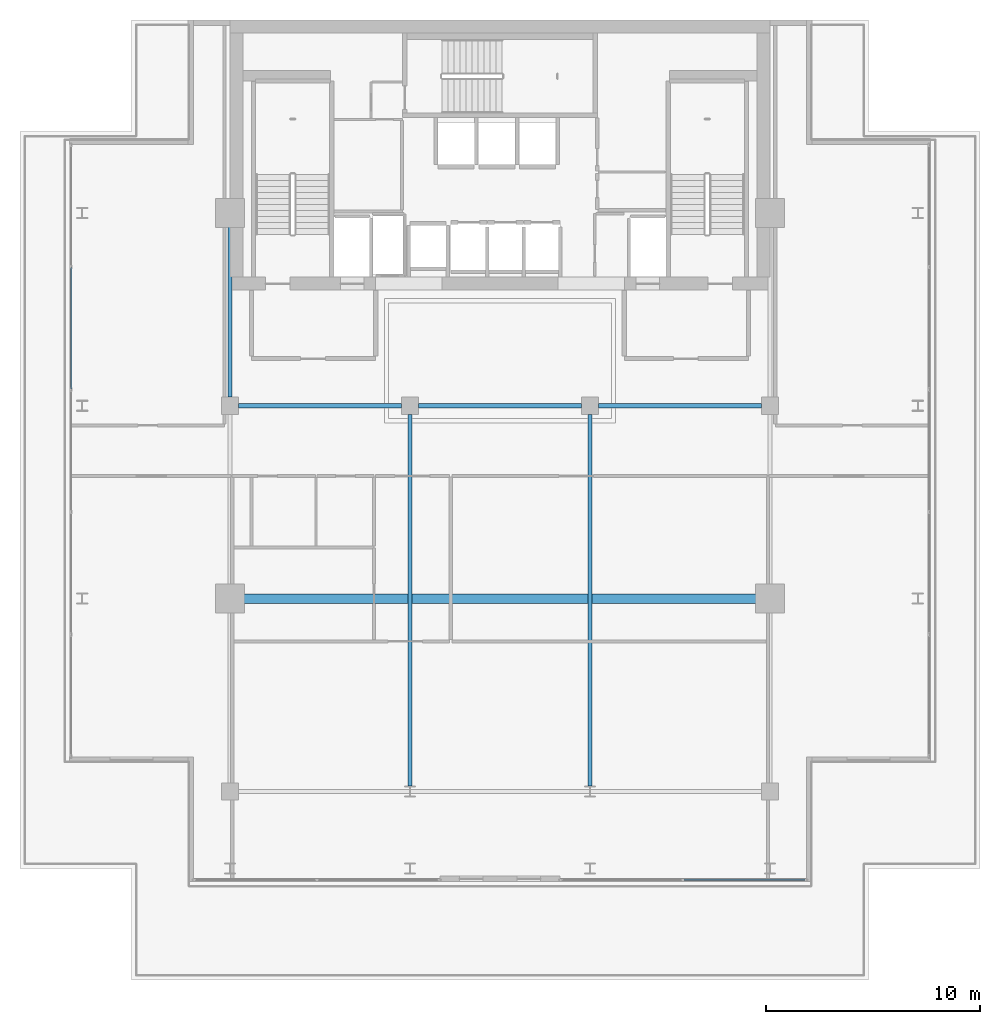
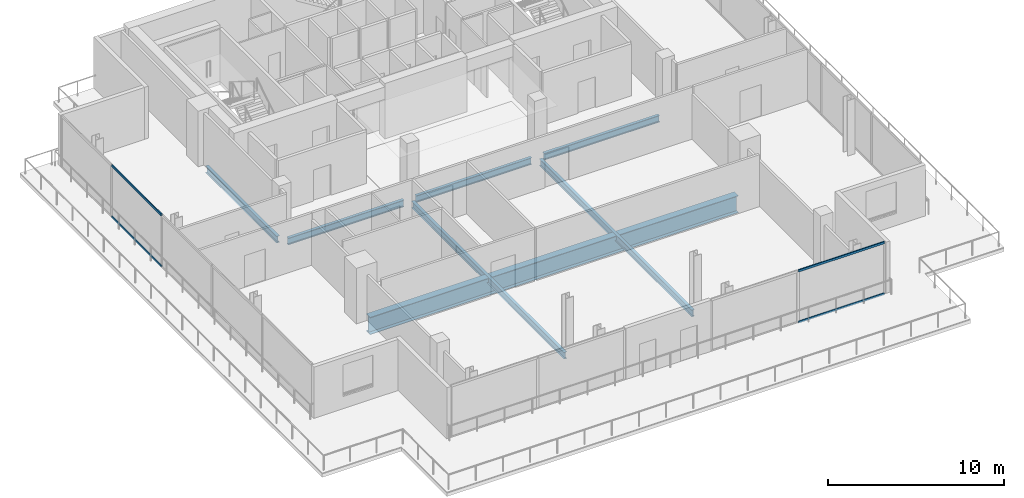
# One storey, part 8 of 21: 7 beams, 4 members, 2 elements without a shape of their own.
"""IFC4 building model written with IfcOpenShell, lengths in metres."""

from ifc_helpers import new_model, si_unit, direction, frame, origin, origin_2d, place, context, subcontext, project, spatial, hollow_rectangle, i_section, extrude, material, layer, layer_set, material_profile, profile_set, type_object, element, aggregate, save


model = new_model("IFC4")

# Units and contexts
model_context = context("Model", 3, precision=1e-05, world=origin(), true_north=direction((0.0, 1.0)))
body_context = subcontext(model_context, "Body", "Model", "MODEL_VIEW")
ifc_project = project(units=[si_unit("LENGTHUNIT", "METRE"), si_unit("AREAUNIT", "SQUARE_METRE"), si_unit("VOLUMEUNIT", "CUBIC_METRE"), si_unit("PLANEANGLEUNIT", "RADIAN"), si_unit("MASSUNIT", "GRAM", prefix="KILO")], contexts=[model_context])

# Site, building, storey
site_placement = place(None, origin())
site = spatial("IfcSite", under=ifc_project, at=site_placement, CompositionType="ELEMENT")
building_placement = place(site_placement, origin())
building = spatial("IfcBuilding", under=site, at=building_placement, Name="Maruvema Waterfront Hotel and Observation Tower", CompositionType="ELEMENT")
storey_placement = place(building_placement, frame((0.0, 0.0, 322.0)))
storey = spatial("IfcBuildingStorey", under=building, at=storey_placement, Name="L79", CompositionType="ELEMENT", Elevation=322.0)

# Curtain wall, members
ifc_material_1 = material(Name="Anodised bronze aluminium and solar-control low-E IGU", Category="aluminium")
ifc_layer = layer(ifc_material_1, 0.159912109375, Name="Zone 4 Sky Residence Inner Curtain Wall System CW-05")
ifc_layer_set = layer_set([ifc_layer], Name="Anodised bronze aluminium and solar-control low-E IGU")
curtain_wall_type = type_object("IfcCurtainWallType", Name="Zone 4 Sky Residence Inner Curtain Wall System CW-05", PredefinedType="USERDEFINED", material=ifc_layer_set)
curtain_wall_1_placement = place(storey_placement, origin())
curtain_wall_1 = element("IfcCurtainWall", 1, at=curtain_wall_1_placement, inside=storey, type_object=curtain_wall_type, Name="L79 Curtain Wall CW-L79-SE", ObjectType="UNITISED CURTAIN WALL", PredefinedType="USERDEFINED")
ifc_material_2 = material(Name="Anodised architectural bronze aluminium", Category="aluminium")
ifc_material_profile_1 = material_profile(ifc_material_2, hollow_rectangle(XDim=0.070068359375, YDim=0.14990234375, WallThickness=0.00390625, at=origin_2d()), Name="ALU-T70x150")
ifc_profile_set_1 = profile_set([ifc_material_profile_1], Name="Anodised architectural bronze aluminium")
member_type = type_object("IfcMemberType", Name="Curtain Wall Horizontal Transom ALU-T70x150", PredefinedType="USERDEFINED", material=ifc_profile_set_1)
member_1_placement = place(storey_placement, frame((46.3798828125, 13.8798828125, 0.030029296875), z_axis=(1.0, 0.0, 0.0), x_axis=(0.0, 1.0, 0.0)))
member_1 = element("IfcMember", 2, at=member_1_placement, type_object=member_type, Name="CW-05 transom 2.1", ObjectType="TRANSOM", PredefinedType="USERDEFINED", context=body_context, shape_type="SweptSolid", body=[
    extrude(hollow_rectangle(XDim=0.070068359375, YDim=0.14990234375, WallThickness=0.00390625, at=origin_2d()), origin(), (0.0, 0.0, 1.0), 5.66015625),
])
member_2_placement = place(storey_placement, frame((46.3798828125, 13.8798828125, 3.580078125), z_axis=(1.0, 0.0, 0.0), x_axis=(0.0, 1.0, 0.0)))
member_2 = element("IfcMember", 3, at=member_2_placement, type_object=member_type, Name="CW-05 transom 2.2", ObjectType="TRANSOM", PredefinedType="USERDEFINED", context=body_context, shape_type="SweptSolid", body=[
    extrude(hollow_rectangle(XDim=0.070068359375, YDim=0.14990234375, WallThickness=0.00390625, at=origin_2d()), origin(), (0.0, 0.0, 1.0), 5.66015625),
])
aggregate(curtain_wall_1, [member_1, member_2])

curtain_wall_2_placement = place(storey_placement, origin())
curtain_wall_2 = element("IfcCurtainWall", 4, at=curtain_wall_2_placement, inside=storey, type_object=curtain_wall_type, Name="L79 Curtain Wall CW-L79-W", ObjectType="UNITISED CURTAIN WALL", PredefinedType="USERDEFINED")
member_3_placement = place(storey_placement, frame((17.780029296875, 42.449951171875, 0.030029296875), z_axis=(0.0, -1.0, 0.0), x_axis=(1.0, 0.0, 0.0)))
member_3 = element("IfcMember", 5, at=member_3_placement, type_object=member_type, Name="CW-05 transom 2.1", ObjectType="TRANSOM", PredefinedType="USERDEFINED", context=body_context, shape_type="SweptSolid", body=[
    extrude(hollow_rectangle(XDim=0.070068359375, YDim=0.14990234375, WallThickness=0.00390625, at=origin_2d()), origin(), (0.0, 0.0, 1.0), 5.659912109375),
])
member_4_placement = place(storey_placement, frame((17.780029296875, 42.449951171875, 3.580078125), z_axis=(0.0, -1.0, 0.0), x_axis=(1.0, 0.0, 0.0)))
member_4 = element("IfcMember", 6, at=member_4_placement, type_object=member_type, Name="CW-05 transom 2.2", ObjectType="TRANSOM", PredefinedType="USERDEFINED", context=body_context, shape_type="SweptSolid", body=[
    extrude(hollow_rectangle(XDim=0.070068359375, YDim=0.14990234375, WallThickness=0.00390625, at=origin_2d()), origin(), (0.0, 0.0, 1.0), 5.659912109375),
])
aggregate(curtain_wall_2, [member_3, member_4])

# Beams
ifc_material_3 = material(Name="Steel ASTM A572 Grade 50", Category="steel")
ifc_material_profile_2 = material_profile(ifc_material_3, i_section(OverallWidth=0.194091796875, OverallDepth=0.468994140625, WebThickness=0.0126953125, FlangeThickness=0.0205078125, FilletRadius=0.014892578125, at=origin_2d()), Name="W460x106.0")
ifc_profile_set_2 = profile_set([ifc_material_profile_2], Name="Steel ASTM A572 Grade 50")
beam_type_1 = type_object("IfcBeamType", Name="Primary Floor Girder W460x106.0", PredefinedType="BEAM", material=ifc_profile_set_2)
beam_1_placement = place(storey_placement, frame((25.60009765625, 36.0, -0.474609375), z_axis=(1.0, 0.0, 0.0), x_axis=(0.0, 1.0, 0.0)))
element("IfcBeam", 7, at=beam_1_placement, inside=storey, type_object=beam_type_1, Name="L79 Floor Girder EW-05", PredefinedType="BEAM", context=body_context, shape_type="SweptSolid", body=[
    extrude(i_section(OverallWidth=0.194091796875, OverallDepth=0.468994140625, WebThickness=0.0126953125, FlangeThickness=0.0205078125, FilletRadius=0.014892578125, at=origin_2d()), origin(), (0.0, 0.0, 1.0), 7.599853515625),
])
for number, where, z_axis, x_axis, name in (
    (8, (34.0, 36.0, -0.474609375), (1.0, 0.0, 0.0), (0.0, 1.0, 0.0), "L79 Floor Girder EW-06"),
    (9, (42.39990234375, 36.0, -0.474609375), (1.0, 0.0, 0.0), (0.0, 1.0, 0.0), "L79 Floor Girder EW-07"),
):
    element("IfcBeam", number, at=place(storey_placement, frame(where, z_axis=z_axis, x_axis=x_axis)), inside=storey, type_object=beam_type_1, Name=name, PredefinedType="BEAM", context=body_context, shape_type="SweptSolid", body=[
        extrude(i_section(OverallWidth=0.194091796875, OverallDepth=0.468994140625, WebThickness=0.0126953125, FlangeThickness=0.0205078125, FilletRadius=0.014892578125, at=origin_2d()), origin(), (0.0, 0.0, 1.0), 7.60009765625),
    ])
beam_2_placement = place(storey_placement, frame((25.199951171875, 36.39990234375, -0.474609375), z_axis=(0.0, 1.0, 0.0), x_axis=(-1.0, 0.0, 0.0)))
element("IfcBeam", 10, at=beam_2_placement, inside=storey, type_object=beam_type_1, Name="L79 Floor Girder NS-03", PredefinedType="BEAM", context=body_context, shape_type="SweptSolid", body=[
    extrude(i_section(OverallWidth=0.194091796875, OverallDepth=0.468994140625, WebThickness=0.0126953125, FlangeThickness=0.0205078125, FilletRadius=0.014892578125, at=origin_2d()), origin(), (0.0, 0.0, 1.0), 8.10009765625),
])
for number, where, z_axis, x_axis, name in (
    (11, (33.60009765625, 18.25, -0.474609375), (0.0, 1.0, 0.0), (-1.0, 0.0, 0.0), "L79 Floor Girder NS-04"),
    (12, (42.0, 18.25, -0.474609375), (0.0, 1.0, 0.0), (-1.0, 0.0, 0.0), "L79 Floor Girder NS-05"),
):
    element("IfcBeam", number, at=place(storey_placement, frame(where, z_axis=z_axis, x_axis=x_axis)), inside=storey, type_object=beam_type_1, Name=name, PredefinedType="BEAM", context=body_context, shape_type="SweptSolid", body=[
        extrude(i_section(OverallWidth=0.194091796875, OverallDepth=0.468994140625, WebThickness=0.0126953125, FlangeThickness=0.0205078125, FilletRadius=0.014892578125, at=origin_2d()), origin(), (0.0, 0.0, 1.0), 17.35009765625),
    ])
ifc_material_4 = material(Name="Steel ABNT NBR 7007 AR 415 (ASTM A572 Grade 50)", Category="steel")
ifc_material_profile_3 = material_profile(ifc_material_4, i_section(OverallWidth=0.449951171875, OverallDepth=1.199951171875, WebThickness=0.01904296875, FlangeThickness=0.031982421875, at=origin_2d()), Name="VS1200x366")
ifc_profile_set_3 = profile_set([ifc_material_profile_3], Name="Steel ABNT NBR 7007 AR 415 (ASTM A572 Grade 50)")
beam_type_2 = type_object("IfcBeamType", Name="Upper Setback Transfer Girder VS1200x366", PredefinedType="USERDEFINED", material=ifc_profile_set_3)
beam_3_placement = place(storey_placement, frame((25.699951171875, 27.0, -0.840087890625), z_axis=(1.0, 0.0, 0.0), x_axis=(0.0, 1.0, 0.0)))
element("IfcBeam", 13, at=beam_3_placement, inside=storey, type_object=beam_type_2, Name="L79 Floor Girder EW-04", ObjectType="TRANSFER GIRDER", PredefinedType="USERDEFINED", context=body_context, shape_type="SweptSolid", body=[
    extrude(i_section(OverallWidth=0.449951171875, OverallDepth=1.199951171875, WebThickness=0.01904296875, FlangeThickness=0.031982421875, at=origin_2d()), origin(), (0.0, 0.0, 1.0), 24.199951171875),
])

save(model, "model.ifc")
